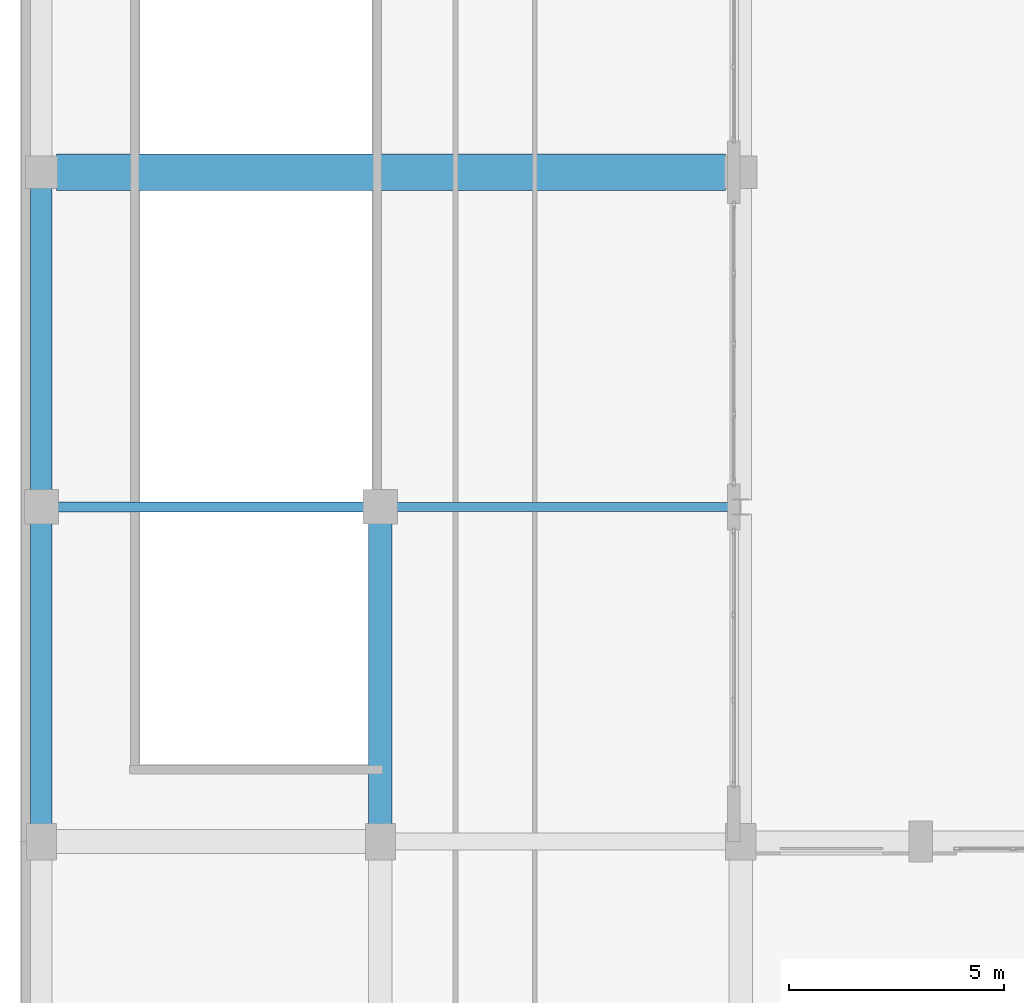
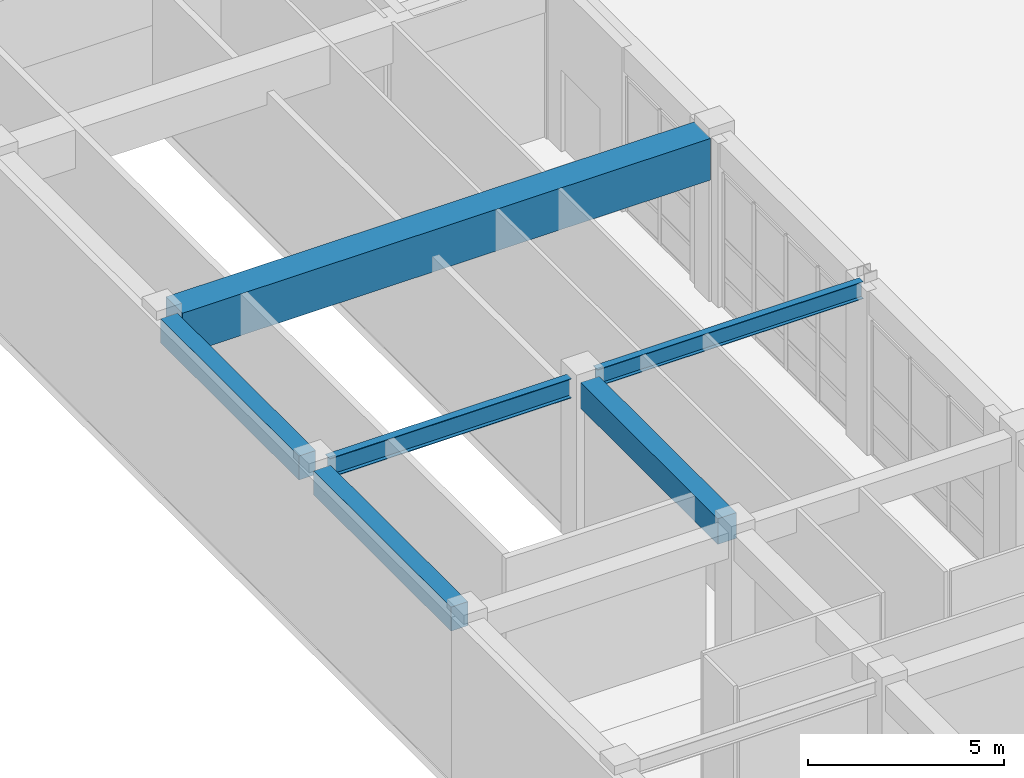
# One storey, part 18 of 148: 6 beams.
"""IFC4 building model written with IfcOpenShell, lengths in metres."""

from ifc_helpers import new_model, si_unit, direction, frame, origin, origin_2d, place, context, subcontext, project, spatial, rectangle, i_section, extrude, material, material_profile, profile_set, type_object, element, save


model = new_model("IFC4")

# Units and contexts
model_context = context("Model", 3, precision=1e-05, world=origin(), true_north=direction((0.0, 1.0)))
body_context = subcontext(model_context, "Body", "Model", "MODEL_VIEW")
ifc_project = project(units=[si_unit("LENGTHUNIT", "METRE"), si_unit("AREAUNIT", "SQUARE_METRE"), si_unit("VOLUMEUNIT", "CUBIC_METRE"), si_unit("PLANEANGLEUNIT", "RADIAN"), si_unit("MASSUNIT", "GRAM", prefix="KILO")], contexts=[model_context])

# Site, building, storey
site_placement = place(None, origin())
site = spatial("IfcSite", under=ifc_project, at=site_placement, CompositionType="ELEMENT")
building_placement = place(site_placement, origin())
building = spatial("IfcBuilding", under=site, at=building_placement, Name="Quendrovan Civic Courthouse", CompositionType="ELEMENT")
storey_placement = place(building_placement, origin())
storey = spatial("IfcBuildingStorey", under=building, at=storey_placement, Name="L01", CompositionType="ELEMENT", Elevation=0.0)

# Beams
ifc_material_1 = material(Name="Post-tensioned concrete C50/60", Category="concrete")
ifc_material_profile_1 = material_profile(ifc_material_1, rectangle(XDim=0.85009765625, YDim=1.300048828125, at=origin_2d()), Name="PT-GRD-850x1300")
ifc_profile_set_1 = profile_set([ifc_material_profile_1], Name="Post-tensioned concrete C50/60")
beam_type_1 = type_object("IfcBeamType", Name="BM-PT1300", PredefinedType="BEAM", material=ifc_profile_set_1)
beam_1_placement = place(storey_placement, frame((0.85498046875, 31.199951171875, 4.469970703125), z_axis=(1.0, 0.0, 0.0), x_axis=(0.0, 1.0, 0.0)))
element("IfcBeam", 1, at=beam_1_placement, inside=storey, type_object=beam_type_1, Name="L01 Girder X0280", PredefinedType="BEAM", context=body_context, shape_type="SweptSolid", body=[
    extrude(rectangle(XDim=0.85009765625, YDim=1.300048828125, at=origin_2d()), origin(), (0.0, 0.0, 1.0), 15.590087890625),
])
ifc_material_2 = material(Name="Concrete C40/50", Category="concrete")
ifc_material_profile_2 = material_profile(ifc_material_2, rectangle(XDim=0.5, YDim=0.75, at=origin_2d()), Name="RC-BM-500x750")
ifc_profile_set_2 = profile_set([ifc_material_profile_2], Name="Concrete C40/50")
beam_type_2 = type_object("IfcBeamType", Name="BM-RC750", PredefinedType="SPANDREL", material=ifc_profile_set_2)
beam_2_placement = place(storey_placement, frame((0.5, 16.0048828125, 4.7451171875), z_axis=(0.0, 1.0, 0.0), x_axis=(-1.0, 0.0, 0.0)))
element("IfcBeam", 2, at=beam_2_placement, inside=storey, type_object=beam_type_2, Name="L01 Girder Y0372", PredefinedType="SPANDREL", context=body_context, shape_type="SweptSolid", body=[
    extrude(rectangle(XDim=0.5, YDim=0.75, at=origin_2d()), origin(), (0.0, 0.0, 1.0), 7.01513671875),
])
beam_3_placement = place(storey_placement, frame((0.5, 23.780029296875, 4.7451171875), z_axis=(0.0, 1.0, 0.0), x_axis=(-1.0, 0.0, 0.0)))
element("IfcBeam", 3, at=beam_3_placement, inside=storey, type_object=beam_type_2, Name="L01 Girder Y0373", PredefinedType="SPANDREL", context=body_context, shape_type="SweptSolid", body=[
    extrude(rectangle(XDim=0.5, YDim=0.75, at=origin_2d()), origin(), (0.0, 0.0, 1.0), 7.06494140625),
])
ifc_material_profile_3 = material_profile(ifc_material_2, rectangle(XDim=0.550048828125, YDim=0.800048828125, at=origin_2d()), Name="RC-BM-550x800")
ifc_profile_set_3 = profile_set([ifc_material_profile_3], Name="Concrete C40/50")
beam_type_3 = type_object("IfcBeamType", Name="BM-RC800", PredefinedType="BEAM", material=ifc_profile_set_3)
beam_4_placement = place(storey_placement, frame((8.39990234375, 16.0048828125, 4.719970703125), z_axis=(0.0, 1.0, 0.0), x_axis=(-1.0, 0.0, 0.0)))
element("IfcBeam", 4, at=beam_4_placement, inside=storey, type_object=beam_type_3, Name="L01 Girder Y0385", PredefinedType="BEAM", context=body_context, shape_type="SweptSolid", body=[
    extrude(rectangle(XDim=0.550048828125, YDim=0.800048828125, at=origin_2d()), origin(), (0.0, 0.0, 1.0), 7.01513671875),
])
ifc_material_3 = material(Name="Steel ASTM A992 Grade 50", Category="steel")
ifc_material_profile_4 = material_profile(ifc_material_3, i_section(OverallWidth=0.208984375, OverallDepth=0.532958984375, WebThickness=0.01025390625, FlangeThickness=0.015625, at=origin_2d()), Name="W21X62")
ifc_profile_set_4 = profile_set([ifc_material_profile_4], Name="Steel ASTM A992 Grade 50")
beam_type_4 = type_object("IfcBeamType", Name="BM-STL-W21", PredefinedType="JOIST", material=ifc_profile_set_4)
beam_5_placement = place(storey_placement, frame((8.780029296875, 23.39990234375, 4.853515625), z_axis=(1.0, 0.0, 0.0), x_axis=(0.0, 1.0, 0.0)))
element("IfcBeam", 5, at=beam_5_placement, inside=storey, type_object=beam_type_4, Name="L01 Girder X0279", PredefinedType="JOIST", context=body_context, shape_type="SweptSolid", body=[
    extrude(i_section(OverallWidth=0.208984375, OverallDepth=0.532958984375, WebThickness=0.01025390625, FlangeThickness=0.015625, at=origin_2d()), origin(), (0.0, 0.0, 1.0), 7.85302734375),
])
ifc_material_profile_5 = material_profile(ifc_material_3, i_section(OverallWidth=0.22802734375, OverallDepth=0.60693359375, WebThickness=0.01123046875, FlangeThickness=0.017333984375, at=origin_2d()), Name="W24X76")
ifc_profile_set_5 = profile_set([ifc_material_profile_5], Name="Steel ASTM A992 Grade 50")
beam_type_5 = type_object("IfcBeamType", Name="BM-STL-W24", PredefinedType="BEAM", material=ifc_profile_set_5)
beam_6_placement = place(storey_placement, frame((0.8798828125, 23.39990234375, 4.81640625), z_axis=(1.0, 0.0, 0.0), x_axis=(0.0, 1.0, 0.0)))
element("IfcBeam", 6, at=beam_6_placement, inside=storey, type_object=beam_type_5, Name="L01 Girder X0278", PredefinedType="BEAM", context=body_context, shape_type="SweptSolid", body=[
    extrude(i_section(OverallWidth=0.22802734375, OverallDepth=0.60693359375, WebThickness=0.01123046875, FlangeThickness=0.017333984375, at=origin_2d()), origin(), (0.0, 0.0, 1.0), 7.14013671875),
])

save(model, "model.ifc")
